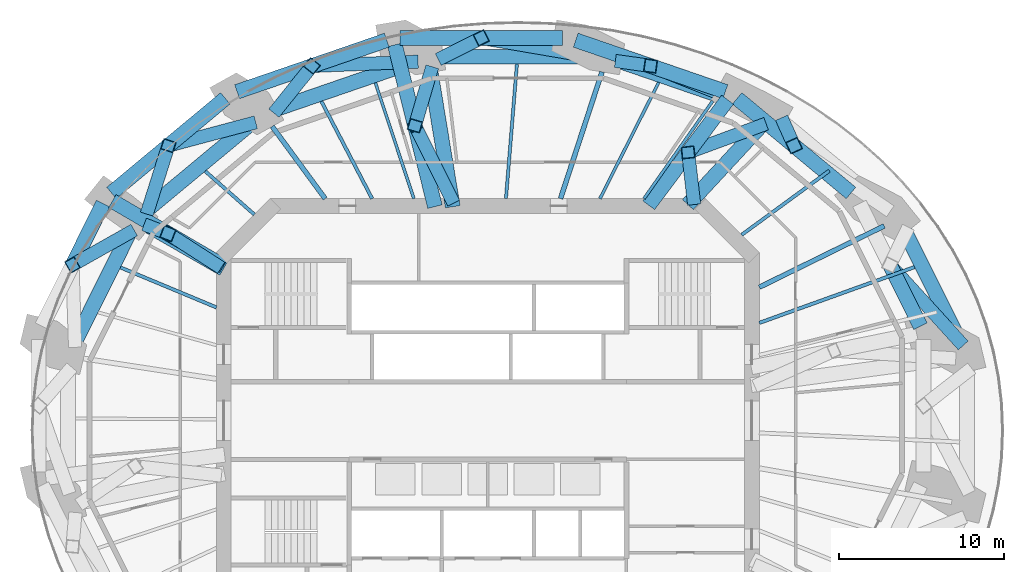
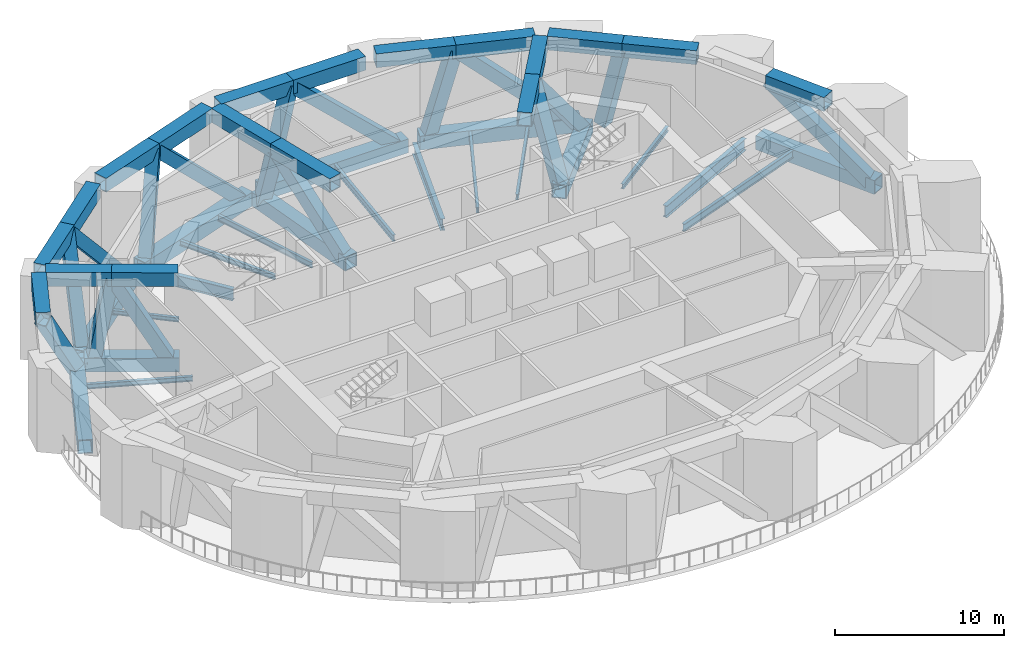
# One storey, part 3 of 11: 44 members, 12 beams.
"""IFC4 building model written with IfcOpenShell, lengths in metres."""

from ifc_helpers import new_model, si_unit, direction, frame, origin, origin_2d, place, context, subcontext, project, spatial, hollow_rectangle, i_section, extrude, material, material_profile, profile_set, type_object, element, save


model = new_model("IFC4")

# Units and contexts
model_context = context("Model", 3, precision=1e-05, world=origin(), true_north=direction((0.0, 1.0)))
body_context = subcontext(model_context, "Body", "Model", "MODEL_VIEW")
ifc_project = project(units=[si_unit("LENGTHUNIT", "METRE"), si_unit("AREAUNIT", "SQUARE_METRE"), si_unit("VOLUMEUNIT", "CUBIC_METRE"), si_unit("PLANEANGLEUNIT", "RADIAN"), si_unit("MASSUNIT", "GRAM", prefix="KILO")], contexts=[model_context])

# Site, building, storey
site_placement = place(None, origin())
site = spatial("IfcSite", under=ifc_project, at=site_placement, CompositionType="ELEMENT")
building_placement = place(site_placement, origin())
building = spatial("IfcBuilding", under=site, at=building_placement, Name="Marenthal Gate Tower", CompositionType="ELEMENT")
storey_placement = place(building_placement, frame((0.0, 0.0, 273.10009765625)))
storey = spatial("IfcBuildingStorey", under=building, at=storey_placement, Name="L61", CompositionType="ELEMENT", Elevation=273.10009765625)

# Beams
ifc_material_1 = material(Name="Steel S355", Category="steel")
ifc_material_profile_1 = material_profile(ifc_material_1, i_section(OverallWidth=0.205078125, OverallDepth=0.31005859375, WebThickness=0.009521484375, FlangeThickness=0.016357421875, FilletRadius=0.0126953125, at=origin_2d()), Name="W310X74")
ifc_profile_set_1 = profile_set([ifc_material_profile_1], Name="Steel S355")
beam_type_1 = type_object("IfcBeamType", Name="W310X74 beam", PredefinedType="BEAM", material=ifc_profile_set_1)
beam_1_placement = place(storey_placement, frame((-17.125244140625, 15.110595703125, -0.455078125), z_axis=(0.749852222261, -0.661605354249, 0.0), x_axis=(0.661605354249, 0.749852222261, 0.0)))
element("IfcBeam", 1, at=beam_1_placement, inside=storey, type_object=beam_type_1, Name="BM-L61-17", PredefinedType="BEAM", context=body_context, shape_type="SweptSolid", body=[
    extrude(i_section(OverallWidth=0.205078125, OverallDepth=0.31005859375, WebThickness=0.009521484375, FlangeThickness=0.016357421875, FilletRadius=0.0126953125, at=origin_2d()), origin(), (0.0, 0.0, 1.0), 3.96728515625),
])
ifc_material_2 = material(Name="Steel S355", Category="steel")
ifc_material_profile_2 = material_profile(ifc_material_2, i_section(OverallWidth=0.205078125, OverallDepth=0.35302734375, WebThickness=0.009521484375, FlangeThickness=0.016845703125, FilletRadius=0.014892578125, at=origin_2d()), Name="W360X79")
ifc_profile_set_2 = profile_set([ifc_material_profile_2], Name="Steel S355")
beam_type_2 = type_object("IfcBeamType", Name="W360X79 beam", PredefinedType="BEAM", material=ifc_profile_set_2)
beam_2_placement = place(storey_placement, frame((20.692138671875, 15.13818359375, -0.4765625), z_axis=(-0.807055775007, -0.590475212035, 0.0), x_axis=(0.590475212035, -0.807055775007, 0.0)))
element("IfcBeam", 2, at=beam_2_placement, inside=storey, type_object=beam_type_2, Name="BM-L61-11", PredefinedType="BEAM", context=body_context, shape_type="SweptSolid", body=[
    extrude(i_section(OverallWidth=0.205078125, OverallDepth=0.35302734375, WebThickness=0.009521484375, FlangeThickness=0.016845703125, FilletRadius=0.014892578125, at=origin_2d()), origin(), (0.0, 0.0, 1.0), 6.57861328125),
])
beam_3_placement = place(storey_placement, frame((-10.085693359375, 19.342529296875, -0.4765625), z_axis=(0.462343764652, -0.886700763103, 0.0), x_axis=(0.886700763103, 0.462343764652, 0.0)))
element("IfcBeam", 3, at=beam_3_placement, inside=storey, type_object=beam_type_2, Name="BM-L61-16", PredefinedType="BEAM", context=body_context, shape_type="SweptSolid", body=[
    extrude(i_section(OverallWidth=0.205078125, OverallDepth=0.35302734375, WebThickness=0.009521484375, FlangeThickness=0.016845703125, FilletRadius=0.014892578125, at=origin_2d()), origin(), (0.0, 0.0, 1.0), 6.6455078125),
])
beam_4_placement = place(storey_placement, frame((-22.265380859375, 9.279296875, -0.4765625), z_axis=(0.923049405194, -0.38468142088, 0.0), x_axis=(0.38468142088, 0.923049405194, 0.0)))
element("IfcBeam", 4, at=beam_4_placement, inside=storey, type_object=beam_type_2, Name="BM-L61-18", PredefinedType="BEAM", context=body_context, shape_type="SweptSolid", body=[
    extrude(i_section(OverallWidth=0.205078125, OverallDepth=0.35302734375, WebThickness=0.009521484375, FlangeThickness=0.016845703125, FilletRadius=0.014892578125, at=origin_2d()), origin(), (0.0, 0.0, 1.0), 6.30029296875),
])
ifc_material_3 = material(Name="Steel S355", Category="steel")
ifc_material_profile_3 = material_profile(ifc_material_3, i_section(OverallWidth=0.180908203125, OverallDepth=0.4169921875, WebThickness=0.010986328125, FlangeThickness=0.018310546875, FilletRadius=0.01025390625, at=origin_2d()), Name="W410X85")
ifc_profile_set_3 = profile_set([ifc_material_profile_3], Name="Steel S355")
beam_type_3 = type_object("IfcBeamType", Name="W410X85 beam", PredefinedType="BEAM", material=ifc_profile_set_3)
beam_5_placement = place(storey_placement, frame((13.62646484375, 19.363037109375, -0.508544921875), z_axis=(-0.575500097311, -0.817801710682, 0.0), x_axis=(0.817801710682, -0.575500097311, 0.0)))
element("IfcBeam", 5, at=beam_5_placement, inside=storey, type_object=beam_type_3, Name="BM-L61-12", PredefinedType="BEAM", context=body_context, shape_type="SweptSolid", body=[
    extrude(i_section(OverallWidth=0.180908203125, OverallDepth=0.4169921875, WebThickness=0.010986328125, FlangeThickness=0.018310546875, FilletRadius=0.01025390625, at=origin_2d()), origin(), (0.0, 0.0, 1.0), 7.23046875),
])
beam_6_placement = place(storey_placement, frame((10.35302734375, 20.489990234375, -0.508544921875), z_axis=(-0.450973422362, -0.89253737867, 0.0), x_axis=(0.89253737867, -0.450973422362, 0.0)))
element("IfcBeam", 6, at=beam_6_placement, inside=storey, type_object=beam_type_3, Name="BM-L61-13", PredefinedType="BEAM", context=body_context, shape_type="SweptSolid", body=[
    extrude(i_section(OverallWidth=0.180908203125, OverallDepth=0.4169921875, WebThickness=0.010986328125, FlangeThickness=0.018310546875, FilletRadius=0.01025390625, at=origin_2d()), origin(), (0.0, 0.0, 1.0), 7.8876953125),
])
beam_7_placement = place(storey_placement, frame((-6.81591796875, 20.46826171875, -0.508544921875), z_axis=(0.315950516085, -0.948775669685, 0.0), x_axis=(0.948775669685, 0.315950516085, 0.0)))
element("IfcBeam", 7, at=beam_7_placement, inside=storey, type_object=beam_type_3, Name="BM-L61-15", PredefinedType="BEAM", context=body_context, shape_type="SweptSolid", body=[
    extrude(i_section(OverallWidth=0.180908203125, OverallDepth=0.4169921875, WebThickness=0.010986328125, FlangeThickness=0.018310546875, FilletRadius=0.01025390625, at=origin_2d()), origin(), (0.0, 0.0, 1.0), 7.397216796875),
])
ifc_material_4 = material(Name="Steel S355", Category="steel")
ifc_material_profile_4 = material_profile(ifc_material_4, i_section(OverallWidth=0.193115234375, OverallDepth=0.467041015625, WebThickness=0.011474609375, FlangeThickness=0.01904296875, FilletRadius=0.010009765625, at=origin_2d()), Name="W460X97")
ifc_profile_set_4 = profile_set([ifc_material_profile_4], Name="Steel S355")
beam_type_4 = type_object("IfcBeamType", Name="W460X97 beam", PredefinedType="BEAM", material=ifc_profile_set_4)
beam_8_placement = place(storey_placement, frame((1.76318359375, 21.594482421875, -0.53369140625), z_axis=(-0.081383814274, -0.996682835597, 0.0), x_axis=(0.996682835597, -0.081383814274, 0.0)))
element("IfcBeam", 8, at=beam_8_placement, inside=storey, type_object=beam_type_4, Name="BM-L61-14", PredefinedType="BEAM", context=body_context, shape_type="SweptSolid", body=[
    extrude(i_section(OverallWidth=0.193115234375, OverallDepth=0.467041015625, WebThickness=0.011474609375, FlangeThickness=0.01904296875, FilletRadius=0.010009765625, at=origin_2d()), origin(), (0.0, 0.0, 1.0), 8.171630859375),
])
ifc_material_5 = material(Name="Steel S355", Category="steel")
ifc_material_profile_5 = material_profile(ifc_material_5, i_section(OverallWidth=0.2099609375, OverallDepth=0.535888671875, WebThickness=0.010986328125, FlangeThickness=0.017333984375, FilletRadius=0.0126953125, at=origin_2d()), Name="W530X101")
ifc_profile_set_5 = profile_set([ifc_material_profile_5], Name="Steel S355")
beam_type_5 = type_object("IfcBeamType", Name="W530X101 beam", PredefinedType="BEAM", material=ifc_profile_set_5)
beam_9_placement = place(storey_placement, frame((25.85546875, 9.29931640625, -0.568115234375), z_axis=(-0.940988565767, -0.338438353466, 0.0), x_axis=(0.338438353466, -0.940988565767, 0.0)))
element("IfcBeam", 9, at=beam_9_placement, inside=storey, type_object=beam_type_5, Name="BM-L61-10", PredefinedType="BEAM", context=body_context, shape_type="SweptSolid", body=[
    extrude(i_section(OverallWidth=0.2099609375, OverallDepth=0.535888671875, WebThickness=0.010986328125, FlangeThickness=0.017333984375, FilletRadius=0.0126953125, at=origin_2d()), origin(), (0.0, 0.0, 1.0), 9.995361328125),
])
ifc_material_6 = material(Name="Steel S355", Category="steel")
ifc_material_profile_6 = material_profile(ifc_material_6, i_section(OverallWidth=0.2919921875, OverallDepth=0.841064453125, WebThickness=0.0146484375, FlangeThickness=0.021728515625, FilletRadius=0.017822265625, at=origin_2d()), Name="W840X193")
ifc_profile_set_6 = profile_set([ifc_material_profile_6], Name="Steel S355")
beam_type_6 = type_object("IfcBeamType", Name="W840X193 beam", PredefinedType="BEAM", material=ifc_profile_set_6)
beam_10_placement = place(storey_placement, frame((24.025146484375, 11.7978515625, -0.720703125), z_axis=(-0.897609552084, -0.44079143822, 0.0), x_axis=(0.44079143822, -0.897609552084, 0.0)))
element("IfcBeam", 10, at=beam_10_placement, inside=storey, type_object=beam_type_6, Name="BM-L61-01", PredefinedType="BEAM", context=body_context, shape_type="SweptSolid", body=[
    extrude(i_section(OverallWidth=0.2919921875, OverallDepth=0.841064453125, WebThickness=0.0146484375, FlangeThickness=0.021728515625, FilletRadius=0.017822265625, at=origin_2d()), origin(), (0.0, 0.0, 1.0), 8.439208984375),
])
beam_11_placement = place(storey_placement, frame((6.920654296875, 21.131103515625, -0.720703125), z_axis=(-0.311239462727, -0.95033151944, 0.0), x_axis=(0.95033151944, -0.311239462727, 0.0)))
element("IfcBeam", 11, at=beam_11_placement, inside=storey, type_object=beam_type_6, Name="BM-L61-02", PredefinedType="BEAM", context=body_context, shape_type="SweptSolid", body=[
    extrude(i_section(OverallWidth=0.2919921875, OverallDepth=0.841064453125, WebThickness=0.0146484375, FlangeThickness=0.021728515625, FilletRadius=0.017822265625, at=origin_2d()), origin(), (0.0, 0.0, 1.0), 8.08251953125),
])
beam_12_placement = place(storey_placement, frame((-13.068115234375, 17.82470703125, -0.720703125), z_axis=(0.591258295134, -0.8064822555, 0.0), x_axis=(0.8064822555, 0.591258295134, 0.0)))
element("IfcBeam", 12, at=beam_12_placement, inside=storey, type_object=beam_type_6, Name="BM-L61-03", PredefinedType="BEAM", context=body_context, shape_type="SweptSolid", body=[
    extrude(i_section(OverallWidth=0.2919921875, OverallDepth=0.841064453125, WebThickness=0.0146484375, FlangeThickness=0.021728515625, FilletRadius=0.017822265625, at=origin_2d()), origin(), (0.0, 0.0, 1.0), 5.424560546875),
])

# Members
ifc_material_7 = material(Name="Steel S460", Category="steel")
ifc_material_profile_7 = material_profile(ifc_material_7, hollow_rectangle(XDim=0.89990234375, YDim=1.0, WallThickness=0.06005859375, at=origin_2d()), Name="BOX 1000X900X60")
ifc_profile_set_7 = profile_set([ifc_material_profile_7], Name="Steel S460")
member_type_1 = type_object("IfcMemberType", Name="belt chord BOX 1000X900X60", PredefinedType="CHORD", material=ifc_profile_set_7)
member_1_placement = place(storey_placement, frame((28.8466796875, 4.306396484375, -0.800048828125), z_axis=(-0.446062695792, 0.895001715877, 0.0), x_axis=(-0.895001715877, -0.446062695792, 0.0)))
element("IfcMember", 13, at=member_1_placement, inside=storey, type_object=member_type_1, Name="BT-L61-01", PredefinedType="CHORD", context=body_context, shape_type="SweptSolid", body=[
    extrude(hollow_rectangle(XDim=0.89990234375, YDim=1.0, WallThickness=0.06005859375, at=origin_2d()), origin(), (0.0, 0.0, 1.0), 8.403076171875),
])
member_2_placement = place(storey_placement, frame((26.2236328125, 5.71240234375, 5.25), z_axis=(-0.446037569832, 0.895014238042, 0.0), x_axis=(-0.895014238042, -0.446037569832, 0.0)))
element("IfcMember", 14, at=member_2_placement, inside=storey, type_object=member_type_1, Name="BT-L61-02", PredefinedType="CHORD", context=body_context, shape_type="SweptSolid", body=[
    extrude(hollow_rectangle(XDim=0.89990234375, YDim=1.0, WallThickness=0.06005859375, at=origin_2d()), origin(), (0.0, 0.0, 1.0), 4.1533203125),
])
for number, where, z_axis, x_axis, name in (
    (15, (22.009033203125, 13.79150390625, 5.25), (-0.769010120989, 0.639236602376, 0.0), (-0.639236602376, -0.769010120989, 0.0), "BT-L61-07"),
    (16, (18.55859375, 16.65966796875, 5.25), (-0.769059100562, 0.639177674706, 0.0), (-0.639177674706, -0.769059100562, 0.0), "BT-L61-08"),
):
    element("IfcMember", number, at=place(storey_placement, frame(where, z_axis=z_axis, x_axis=x_axis)), inside=storey, type_object=member_type_1, Name=name, PredefinedType="CHORD", context=body_context, shape_type="SweptSolid", body=[
        extrude(hollow_rectangle(XDim=0.89990234375, YDim=1.0, WallThickness=0.06005859375, at=origin_2d()), origin(), (0.0, 0.0, 1.0), 4.48681640625),
    ])
member_3_placement = place(storey_placement, frame((16.81884765625, 18.739990234375, -0.800048828125), z_axis=(-0.945541390223, 0.325501888434, 0.0), x_axis=(-0.325501888434, -0.945541390223, 0.0)))
element("IfcMember", 17, at=member_3_placement, inside=storey, type_object=member_type_1, Name="BT-L61-11", PredefinedType="CHORD", context=body_context, shape_type="SweptSolid", body=[
    extrude(hollow_rectangle(XDim=0.89990234375, YDim=1.0, WallThickness=0.06005859375, at=origin_2d()), origin(), (0.0, 0.0, 1.0), 9.7138671875),
])
member_4_placement = place(storey_placement, frame((14.396728515625, 19.92822265625, 5.25), z_axis=(-0.945533477653, 0.325524872533, 0.0), x_axis=(-0.325524872533, -0.945533477653, 0.0)))
element("IfcMember", 18, at=member_4_placement, inside=storey, type_object=member_type_1, Name="BT-L61-12", PredefinedType="CHORD", context=body_context, shape_type="SweptSolid", body=[
    extrude(hollow_rectangle(XDim=0.89990234375, YDim=1.0, WallThickness=0.06005859375, at=origin_2d()), origin(), (0.0, 0.0, 1.0), 4.797607421875),
])
member_5_placement = place(storey_placement, frame((9.8603515625, 21.489990234375, 5.25), z_axis=(-0.945523207391, 0.325554702448, 0.0), x_axis=(-0.325554702448, -0.945523207391, 0.0)))
element("IfcMember", 19, at=member_5_placement, inside=storey, type_object=member_type_1, Name="BT-L61-13", PredefinedType="CHORD", context=body_context, shape_type="SweptSolid", body=[
    extrude(hollow_rectangle(XDim=0.89990234375, YDim=1.0, WallThickness=0.06005859375, at=origin_2d()), origin(), (0.0, 0.0, 1.0), 4.798095703125),
])
member_6_placement = place(storey_placement, frame((6.7822265625, 22.04443359375, -0.800048828125), z_axis=(-1.0, 0.0, 0.0), x_axis=(0.0, -1.0, 0.0)))
element("IfcMember", 20, at=member_6_placement, inside=storey, type_object=member_type_1, Name="BT-L61-16", PredefinedType="CHORD", context=body_context, shape_type="SweptSolid", body=[
    extrude(hollow_rectangle(XDim=0.89990234375, YDim=1.0, WallThickness=0.06005859375, at=origin_2d()), origin(), (0.0, 0.0, 1.0), 9.96435546875),
])
member_7_placement = place(storey_placement, frame((4.521240234375, 23.186279296875, 5.25), z_axis=(-1.0, 0.0, 0.0), x_axis=(0.0, -1.0, 0.0)))
element("IfcMember", 21, at=member_7_placement, inside=storey, type_object=member_type_1, Name="BT-L61-17", PredefinedType="CHORD", context=body_context, shape_type="SweptSolid", body=[
    extrude(hollow_rectangle(XDim=0.89990234375, YDim=1.0, WallThickness=0.06005859375, at=origin_2d()), origin(), (0.0, 0.0, 1.0), 4.921142578125),
])
member_8_placement = place(storey_placement, frame((-0.39990234375, 23.186279296875, 5.25), z_axis=(-1.0, 0.0, 0.0), x_axis=(0.0, -1.0, 0.0)))
element("IfcMember", 22, at=member_8_placement, inside=storey, type_object=member_type_1, Name="BT-L61-18", PredefinedType="CHORD", context=body_context, shape_type="SweptSolid", body=[
    extrude(hollow_rectangle(XDim=0.89990234375, YDim=1.0, WallThickness=0.06005859375, at=origin_2d()), origin(), (0.0, 0.0, 1.0), 4.92138671875),
])
member_9_placement = place(storey_placement, frame((-4.0341796875, 21.90185546875, -0.800048828125), z_axis=(-0.945538727214, -0.325509624034, 0.0), x_axis=(0.325509624034, -0.945538727214, 0.0)))
element("IfcMember", 23, at=member_9_placement, inside=storey, type_object=member_type_1, Name="BT-L61-21", PredefinedType="CHORD", context=body_context, shape_type="SweptSolid", body=[
    extrude(hollow_rectangle(XDim=0.89990234375, YDim=1.0, WallThickness=0.06005859375, at=origin_2d()), origin(), (0.0, 0.0, 1.0), 9.713623046875),
])
for number, where, z_axis, x_axis, name in (
    (24, (-6.123779296875, 23.052001953125, 5.25), (-0.945517814035, -0.325570366191, 0.0), (0.325570366191, -0.945517814035, 0.0), "BT-L61-22"),
    (25, (-10.66015625, 21.489990234375, 5.25), (-0.94553886959, -0.32550921046, 0.0), (0.32550921046, -0.94553886959, 0.0), "BT-L61-23"),
):
    element("IfcMember", number, at=place(storey_placement, frame(where, z_axis=z_axis, x_axis=x_axis)), inside=storey, type_object=member_type_1, Name=name, PredefinedType="CHORD", context=body_context, shape_type="SweptSolid", body=[
        extrude(hollow_rectangle(XDim=0.89990234375, YDim=1.0, WallThickness=0.06005859375, at=origin_2d()), origin(), (0.0, 0.0, 1.0), 4.7978515625),
    ])
member_10_placement = place(storey_placement, frame((-13.9736328125, 18.31494140625, -0.800048828125), z_axis=(-0.769082206984, -0.639149872018, 0.0), x_axis=(0.639149872018, -0.769082206984, 0.0)))
element("IfcMember", 26, at=member_10_placement, inside=storey, type_object=member_type_1, Name="BT-L61-26", PredefinedType="CHORD", context=body_context, shape_type="SweptSolid", body=[
    extrude(hollow_rectangle(XDim=0.89990234375, YDim=1.0, WallThickness=0.06005859375, at=origin_2d()), origin(), (0.0, 0.0, 1.0), 9.0810546875),
])
member_11_placement = place(storey_placement, frame((-15.907958984375, 19.527587890625, 5.25), z_axis=(-0.76903686925, -0.639204422492, 0.0), x_axis=(0.639204422492, -0.76903686925, 0.0)))
element("IfcMember", 27, at=member_11_placement, inside=storey, type_object=member_type_1, Name="BT-L61-27", PredefinedType="CHORD", context=body_context, shape_type="SweptSolid", body=[
    extrude(hollow_rectangle(XDim=0.89990234375, YDim=1.0, WallThickness=0.06005859375, at=origin_2d()), origin(), (0.0, 0.0, 1.0), 4.48681640625),
])
member_12_placement = place(storey_placement, frame((-19.3583984375, 16.65966796875, 5.25), z_axis=(-0.769032353766, -0.639209855104, 0.0), x_axis=(0.639209855104, -0.769032353766, 0.0)))
element("IfcMember", 28, at=member_12_placement, inside=storey, type_object=member_type_1, Name="BT-L61-28", PredefinedType="CHORD", context=body_context, shape_type="SweptSolid", body=[
    extrude(hollow_rectangle(XDim=0.89990234375, YDim=1.0, WallThickness=0.06005859375, at=origin_2d()), origin(), (0.0, 0.0, 1.0), 4.487060546875),
])
member_13_placement = place(storey_placement, frame((-21.498291015625, 11.8271484375, -0.800048828125), z_axis=(-0.446062695792, -0.895001715877, 0.0), x_axis=(0.895001715877, -0.446062695792, 0.0)))
element("IfcMember", 29, at=member_13_placement, inside=storey, type_object=member_type_1, Name="BT-L61-31", PredefinedType="CHORD", context=body_context, shape_type="SweptSolid", body=[
    extrude(hollow_rectangle(XDim=0.89990234375, YDim=1.0, WallThickness=0.06005859375, at=origin_2d()), origin(), (0.0, 0.0, 1.0), 8.403076171875),
])
member_14_placement = place(storey_placement, frame((-23.318603515625, 13.147216796875, 5.25), z_axis=(-0.446014104566, -0.895025931763, 0.0), x_axis=(0.895025931763, -0.446014104566, 0.0)))
element("IfcMember", 30, at=member_14_placement, inside=storey, type_object=member_type_1, Name="BT-L61-32", PredefinedType="CHORD", context=body_context, shape_type="SweptSolid", body=[
    extrude(hollow_rectangle(XDim=0.89990234375, YDim=1.0, WallThickness=0.06005859375, at=origin_2d()), origin(), (0.0, 0.0, 1.0), 4.153564453125),
])
ifc_material_8 = material(Name="Steel S355", Category="steel")
ifc_material_profile_8 = material_profile(ifc_material_8, hollow_rectangle(XDim=0.800048828125, YDim=0.800048828125, WallThickness=0.044921875, at=origin_2d()), Name="BOX 800X800X45")
ifc_profile_set_8 = profile_set([ifc_material_profile_8], Name="Steel S355")
member_type_2 = type_object("IfcMemberType", Name="belt diagonal BOX 800X800X45", PredefinedType="BRACE", material=ifc_profile_set_8)
member_15_placement = place(storey_placement, frame((28.623779296875, 4.75390625, -0.800048828125), z_axis=(-0.486056582101, 0.534413896343, 0.691484480225), x_axis=(-0.739784496874, -0.672843888421, 0.0)))
element("IfcMember", 31, at=member_15_placement, inside=storey, type_object=member_type_2, Name="BT-L61-04", PredefinedType="BRACE", context=body_context, shape_type="SweptSolid", body=[
    extrude(hollow_rectangle(XDim=0.800048828125, YDim=0.800048828125, WallThickness=0.044921875, at=origin_2d()), origin(), (0.0, 0.0, 1.0), 8.749267578125),
])
member_16_placement = place(storey_placement, frame((18.55859375, 16.65966796875, 5.25), z_axis=(-0.096444241316, 0.214577651176, -0.971933608809), x_axis=(-0.912105460054, -0.409955643625, 0.0)))
element("IfcMember", 32, at=member_16_placement, inside=storey, type_object=member_type_2, Name="BT-L61-10", PredefinedType="BRACE", context=body_context, shape_type="SweptSolid", body=[
    extrude(hollow_rectangle(XDim=0.800048828125, YDim=0.800048828125, WallThickness=0.044921875, at=origin_2d()), origin(), (0.0, 0.0, 1.0), 6.224853515625),
])
member_17_placement = place(storey_placement, frame((16.345947265625, 18.90283203125, -0.800048828125), z_axis=(-0.701978998123, 0.280025275479, 0.654836873799), x_axis=(-0.370516404936, -0.928825922159, 0.0)))
element("IfcMember", 33, at=member_17_placement, inside=storey, type_object=member_type_2, Name="BT-L61-14", PredefinedType="BRACE", context=body_context, shape_type="SweptSolid", body=[
    extrude(hollow_rectangle(XDim=0.800048828125, YDim=0.800048828125, WallThickness=0.044921875, at=origin_2d()), origin(), (0.0, 0.0, 1.0), 9.239013671875),
])
member_18_placement = place(storey_placement, frame((9.8603515625, 21.489990234375, 5.25), z_axis=(-0.278146645711, 0.039502865306, -0.959725985431), x_axis=(-0.140610729331, -0.990064958877, 0.0)))
element("IfcMember", 34, at=member_18_placement, inside=storey, type_object=member_type_2, Name="BT-L61-15", PredefinedType="BRACE", context=body_context, shape_type="SweptSolid", body=[
    extrude(hollow_rectangle(XDim=0.800048828125, YDim=0.800048828125, WallThickness=0.044921875, at=origin_2d()), origin(), (0.0, 0.0, 1.0), 6.303955078125),
])
member_19_placement = place(storey_placement, frame((6.2822265625, 22.04443359375, -0.800048828125), z_axis=(-0.735420831484, 0.125669098606, 0.665855448484), x_axis=(-0.168438998754, -0.985712079514, 0.0)))
element("IfcMember", 35, at=member_19_placement, inside=storey, type_object=member_type_2, Name="BT-L61-19", PredefinedType="BRACE", context=body_context, shape_type="SweptSolid", body=[
    extrude(hollow_rectangle(XDim=0.800048828125, YDim=0.800048828125, WallThickness=0.044921875, at=origin_2d()), origin(), (0.0, 0.0, 1.0), 9.086181640625),
])
member_20_placement = place(storey_placement, frame((-0.39990234375, 23.186279296875, 5.25), z_axis=(-0.347569965812, -0.173896526541, -0.921387604064), x_axis=(0.447443185992, -0.894312358916, 0.0)))
element("IfcMember", 36, at=member_20_placement, inside=storey, type_object=member_type_2, Name="BT-L61-20", PredefinedType="BRACE", context=body_context, shape_type="SweptSolid", body=[
    extrude(hollow_rectangle(XDim=0.800048828125, YDim=0.800048828125, WallThickness=0.044921875, at=origin_2d()), origin(), (0.0, 0.0, 1.0), 6.566162109375),
])
member_21_placement = place(storey_placement, frame((-4.5068359375, 21.739013671875, -0.800048828125), z_axis=(-0.712768446506, -0.028845572744, 0.70080601781), x_axis=(0.040436666624, -0.999182103519, 0.0)))
element("IfcMember", 37, at=member_21_placement, inside=storey, type_object=member_type_2, Name="BT-L61-24", PredefinedType="BRACE", context=body_context, shape_type="SweptSolid", body=[
    extrude(hollow_rectangle(XDim=0.800048828125, YDim=0.800048828125, WallThickness=0.044921875, at=origin_2d()), origin(), (0.0, 0.0, 1.0), 8.633056640625),
])
member_22_placement = place(storey_placement, frame((-10.66015625, 21.489990234375, 5.25), z_axis=(-0.302190435418, -0.374802439621, -0.876472516395), x_axis=(0.778483671708, -0.627664857136, 0.0)))
element("IfcMember", 38, at=member_22_placement, inside=storey, type_object=member_type_2, Name="BT-L61-25", PredefinedType="BRACE", context=body_context, shape_type="SweptSolid", body=[
    extrude(hollow_rectangle(XDim=0.800048828125, YDim=0.800048828125, WallThickness=0.044921875, at=origin_2d()), origin(), (0.0, 0.0, 1.0), 6.90283203125),
])
member_23_placement = place(storey_placement, frame((-14.358154296875, 17.995361328125, -0.800048828125), z_axis=(-0.628032578671, -0.167763597378, 0.759888449394), x_axis=(0.258076602992, -0.966124457297, 0.0)))
element("IfcMember", 39, at=member_23_placement, inside=storey, type_object=member_type_2, Name="BT-L61-29", PredefinedType="BRACE", context=body_context, shape_type="SweptSolid", body=[
    extrude(hollow_rectangle(XDim=0.800048828125, YDim=0.800048828125, WallThickness=0.044921875, at=origin_2d()), origin(), (0.0, 0.0, 1.0), 7.961669921875),
])
member_24_placement = place(storey_placement, frame((-19.3583984375, 16.65966796875, 5.25), z_axis=(-0.167277962974, -0.52728192308, -0.833061736426), x_axis=(0.953183225089, -0.302393352123, 0.0)))
element("IfcMember", 40, at=member_24_placement, inside=storey, type_object=member_type_2, Name="BT-L61-30", PredefinedType="BRACE", context=body_context, shape_type="SweptSolid", body=[
    extrude(hollow_rectangle(XDim=0.800048828125, YDim=0.800048828125, WallThickness=0.044921875, at=origin_2d()), origin(), (0.0, 0.0, 1.0), 7.262451171875),
])
member_25_placement = place(storey_placement, frame((-21.721435546875, 11.379638671875, -0.800048828125), z_axis=(-0.476987459891, -0.269617752452, 0.836534058284), x_axis=(0.492079587948, -0.870550216314, 0.0)))
element("IfcMember", 41, at=member_25_placement, inside=storey, type_object=member_type_2, Name="BT-L61-34", PredefinedType="BRACE", context=body_context, shape_type="SweptSolid", body=[
    extrude(hollow_rectangle(XDim=0.800048828125, YDim=0.800048828125, WallThickness=0.044921875, at=origin_2d()), origin(), (0.0, 0.0, 1.0), 7.232177734375),
])
ifc_material_9 = material(Name="Steel S460", Category="steel")
ifc_material_profile_9 = material_profile(ifc_material_9, hollow_rectangle(XDim=0.89990234375, YDim=1.0, WallThickness=0.06005859375, at=origin_2d()), Name="BOX 1000X900X60")
ifc_profile_set_9 = profile_set([ifc_material_profile_9], Name="Steel S460")
member_type_3 = type_object("IfcMemberType", Name="outrigger chord BOX 1000X900X60", PredefinedType="CHORD", material=ifc_profile_set_9)
member_26_placement = place(storey_placement, frame((16.9091796875, 18.246337890625, -0.800048828125), z_axis=(-0.679716429419, -0.733474999967, 0.0), x_axis=(0.733474999967, -0.679716429419, 0.0)))
element("IfcMember", 42, at=member_26_placement, inside=storey, type_object=member_type_3, Name="OR-L61-86", PredefinedType="CHORD", context=body_context, shape_type="SweptSolid", body=[
    extrude(hollow_rectangle(XDim=0.89990234375, YDim=1.0, WallThickness=0.06005859375, at=origin_2d()), origin(), (0.0, 0.0, 1.0), 7.039306640625),
])
member_27_placement = place(storey_placement, frame((14.52880859375, 19.4462890625, 5.25), z_axis=(-0.598521628892, -0.801106646926, 0.0), x_axis=(0.801106646926, -0.598521628892, 0.0)))
element("IfcMember", 43, at=member_27_placement, inside=storey, type_object=member_type_3, Name="OR-L61-87", PredefinedType="CHORD", context=body_context, shape_type="SweptSolid", body=[
    extrude(hollow_rectangle(XDim=0.89990234375, YDim=1.0, WallThickness=0.06005859375, at=origin_2d()), origin(), (0.0, 0.0, 1.0), 3.99267578125),
])
member_28_placement = place(storey_placement, frame((12.13916015625, 16.247802734375, 5.25), z_axis=(-0.598550949394, -0.801084740199, 0.0), x_axis=(0.801084740199, -0.598550949394, 0.0)))
element("IfcMember", 44, at=member_28_placement, inside=storey, type_object=member_type_3, Name="OR-L61-88", PredefinedType="CHORD", context=body_context, shape_type="SweptSolid", body=[
    extrude(hollow_rectangle(XDim=0.89990234375, YDim=1.0, WallThickness=0.06005859375, at=origin_2d()), origin(), (0.0, 0.0, 1.0), 3.992431640625),
])
member_29_placement = place(storey_placement, frame((-3.546875, 21.600341796875, -0.800048828125), z_axis=(0.162016630546, -0.986788027606, 0.0), x_axis=(0.986788027606, 0.162016630546, 0.0)))
element("IfcMember", 45, at=member_29_placement, inside=storey, type_object=member_type_3, Name="OR-L61-91", PredefinedType="CHORD", context=body_context, shape_type="SweptSolid", body=[
    extrude(hollow_rectangle(XDim=0.89990234375, YDim=1.0, WallThickness=0.06005859375, at=origin_2d()), origin(), (0.0, 0.0, 1.0), 8.759521484375),
])
member_30_placement = place(storey_placement, frame((-5.630615234375, 22.77099609375, 5.25), z_axis=(0.240044022737, -0.97076200335, 0.0), x_axis=(0.97076200335, 0.240044022737, 0.0)))
element("IfcMember", 46, at=member_30_placement, inside=storey, type_object=member_type_3, Name="OR-L61-92", PredefinedType="CHORD", context=body_context, shape_type="SweptSolid", body=[
    extrude(hollow_rectangle(XDim=0.89990234375, YDim=1.0, WallThickness=0.06005859375, at=origin_2d()), origin(), (0.0, 0.0, 1.0), 5.05078125),
])
member_31_placement = place(storey_placement, frame((-4.418212890625, 17.867919921875, 5.25), z_axis=(0.240032759374, -0.970764788415, 0.0), x_axis=(0.970764788415, 0.240032759374, 0.0)))
element("IfcMember", 47, at=member_31_placement, inside=storey, type_object=member_type_3, Name="OR-L61-93", PredefinedType="CHORD", context=body_context, shape_type="SweptSolid", body=[
    extrude(hollow_rectangle(XDim=0.89990234375, YDim=1.0, WallThickness=0.06005859375, at=origin_2d()), origin(), (0.0, 0.0, 1.0), 5.051025390625),
])
member_32_placement = place(storey_placement, frame((-20.898681640625, 11.9970703125, -0.800048828125), z_axis=(0.867259338437, -0.497856645927, 0.0), x_axis=(0.497856645927, 0.867259338437, 0.0)))
element("IfcMember", 48, at=member_32_placement, inside=storey, type_object=member_type_3, Name="OR-L61-96", PredefinedType="CHORD", context=body_context, shape_type="SweptSolid", body=[
    extrude(hollow_rectangle(XDim=0.89990234375, YDim=1.0, WallThickness=0.06005859375, at=origin_2d()), origin(), (0.0, 0.0, 1.0), 5.629638671875),
])
member_33_placement = place(storey_placement, frame((-22.7548828125, 13.304443359375, 5.25), z_axis=(0.863279176895, -0.504726720849, 0.0), x_axis=(0.504726720849, 0.863279176895, 0.0)))
element("IfcMember", 49, at=member_33_placement, inside=storey, type_object=member_type_3, Name="OR-L61-97", PredefinedType="CHORD", context=body_context, shape_type="SweptSolid", body=[
    extrude(hollow_rectangle(XDim=0.89990234375, YDim=1.0, WallThickness=0.06005859375, at=origin_2d()), origin(), (0.0, 0.0, 1.0), 3.901611328125),
])
member_34_placement = place(storey_placement, frame((-19.38671875, 11.335205078125, 5.25), z_axis=(0.863267853459, -0.504746087835, 0.0), x_axis=(0.504746087835, 0.863267853459, 0.0)))
element("IfcMember", 50, at=member_34_placement, inside=storey, type_object=member_type_3, Name="OR-L61-98", PredefinedType="CHORD", context=body_context, shape_type="SweptSolid", body=[
    extrude(hollow_rectangle(XDim=0.89990234375, YDim=1.0, WallThickness=0.06005859375, at=origin_2d()), origin(), (0.0, 0.0, 1.0), 3.90185546875),
])
ifc_material_10 = material(Name="Steel S355", Category="steel")
ifc_material_profile_10 = material_profile(ifc_material_10, hollow_rectangle(XDim=0.800048828125, YDim=0.800048828125, WallThickness=0.044921875, at=origin_2d()), Name="BOX 800X800X45")
ifc_profile_set_10 = profile_set([ifc_material_profile_10], Name="Steel S355")
member_type_4 = type_object("IfcMemberType", Name="outrigger diagonal BOX 800X800X45", PredefinedType="BRACE", material=ifc_profile_set_10)
member_35_placement = place(storey_placement, frame((16.5693359375, 17.879638671875, -0.800048828125), z_axis=(-0.577286227191, -0.212640865345, 0.788368235205), x_axis=(0.345643051404, -0.938366069834, 0.0)))
element("IfcMember", 51, at=member_35_placement, inside=storey, type_object=member_type_4, Name="OR-L61-89", PredefinedType="BRACE", context=body_context, shape_type="SweptSolid", body=[
    extrude(hollow_rectangle(XDim=0.800048828125, YDim=0.800048828125, WallThickness=0.044921875, at=origin_2d()), origin(), (0.0, 0.0, 1.0), 7.674072265625),
])
member_36_placement = place(storey_placement, frame((12.13916015625, 16.247802734375, 5.25), z_axis=(0.048728685185, -0.419242291458, -0.906565726406), x_axis=(0.993312929412, 0.115453125827, 0.0)))
element("IfcMember", 52, at=member_36_placement, inside=storey, type_object=member_type_4, Name="OR-L61-90", PredefinedType="BRACE", context=body_context, shape_type="SweptSolid", body=[
    extrude(hollow_rectangle(XDim=0.800048828125, YDim=0.800048828125, WallThickness=0.044921875, at=origin_2d()), origin(), (0.0, 0.0, 1.0), 6.673583984375),
])
member_37_placement = place(storey_placement, frame((-3.4658203125, 21.10693359375, -0.800048828125), z_axis=(-0.137464091882, -0.467504769803, 0.87323703177), x_axis=(0.959386225848, -0.282095851891, 0.0)))
element("IfcMember", 53, at=member_37_placement, inside=storey, type_object=member_type_4, Name="OR-L61-94", PredefinedType="BRACE", context=body_context, shape_type="SweptSolid", body=[
    extrude(hollow_rectangle(XDim=0.800048828125, YDim=0.800048828125, WallThickness=0.044921875, at=origin_2d()), origin(), (0.0, 0.0, 1.0), 6.92822265625),
])
member_38_placement = place(storey_placement, frame((-4.418212890625, 17.867919921875, 5.25), z_axis=(0.282915070994, -0.565642594708, -0.774601521853), x_axis=(0.89436787492, 0.447332207996, 0.0)))
element("IfcMember", 54, at=member_38_placement, inside=storey, type_object=member_type_4, Name="OR-L61-95", PredefinedType="BRACE", context=body_context, shape_type="SweptSolid", body=[
    extrude(hollow_rectangle(XDim=0.800048828125, YDim=0.800048828125, WallThickness=0.044921875, at=origin_2d()), origin(), (0.0, 0.0, 1.0), 7.810546875),
])
member_39_placement = place(storey_placement, frame((-20.465087890625, 11.748291015625, -0.800048828125), z_axis=(0.175080664658, -0.067067349921, 0.982267138531), x_axis=(0.357717877088, 0.933829706323, 0.0)))
element("IfcMember", 55, at=member_39_placement, inside=storey, type_object=member_type_4, Name="OR-L61-99", PredefinedType="BRACE", context=body_context, shape_type="SweptSolid", body=[
    extrude(hollow_rectangle(XDim=0.800048828125, YDim=0.800048828125, WallThickness=0.044921875, at=origin_2d()), origin(), (0.0, 0.0, 1.0), 6.1591796875),
])
member_40_placement = place(storey_placement, frame((-19.38671875, 11.335205078125, 5.25), z_axis=(0.420367877521, -0.2707981281, -0.866001859909), x_axis=(0.541552090491, 0.840667195318, 0.0)))
element("IfcMember", 56, at=member_40_placement, inside=storey, type_object=member_type_4, Name="OR-L61-100", PredefinedType="BRACE", context=body_context, shape_type="SweptSolid", body=[
    extrude(hollow_rectangle(XDim=0.800048828125, YDim=0.800048828125, WallThickness=0.044921875, at=origin_2d()), origin(), (0.0, 0.0, 1.0), 6.986083984375),
])

save(model, "model.ifc")
